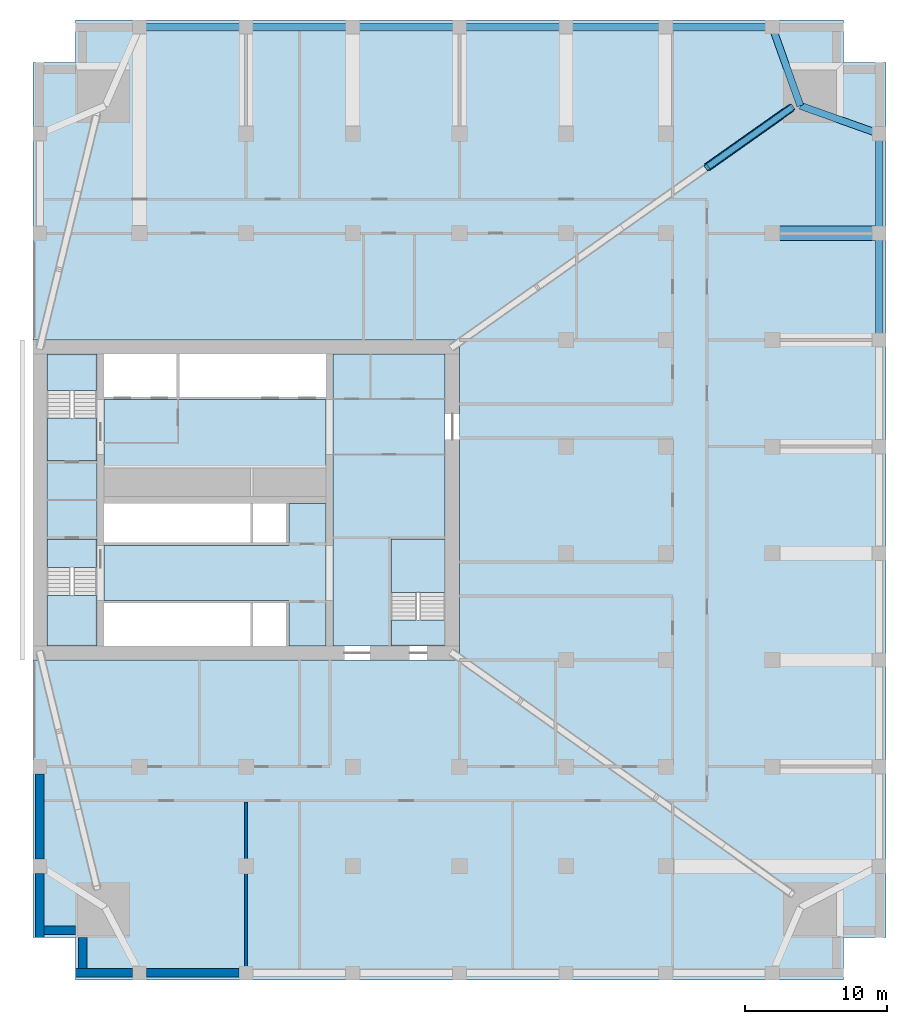
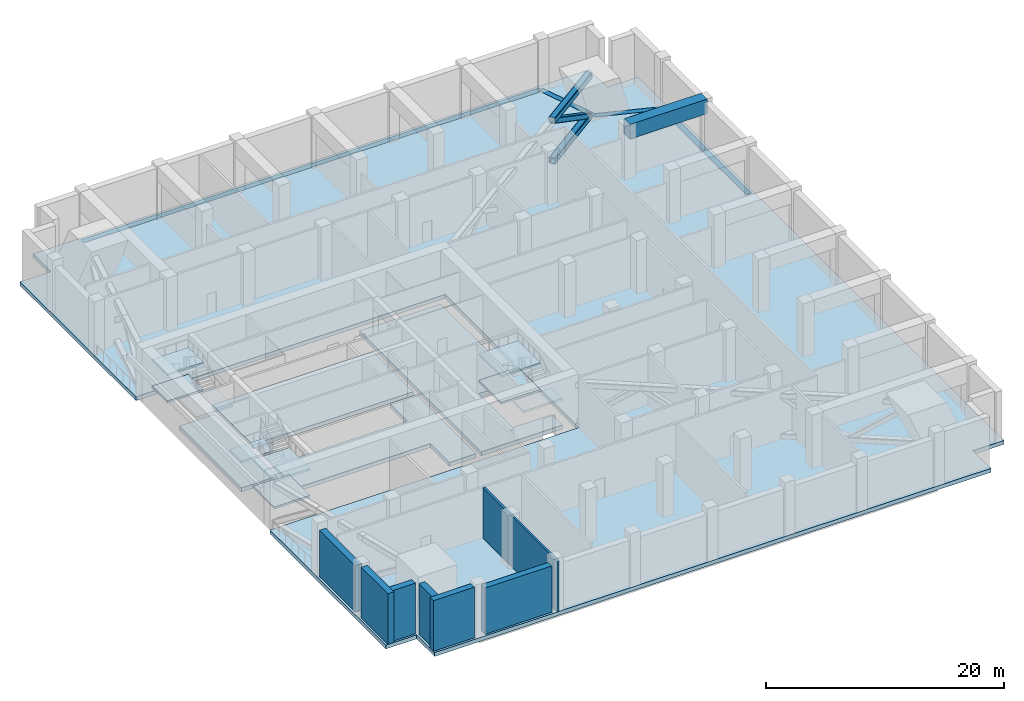
# One storey, part 2 of 10: 14 slabs, 11 beams, 7 walls, 3 members, 3 elements without a shape of their own.
"""IFC4 building model written with IfcOpenShell, lengths in metres."""

from ifc_helpers import new_model, si_unit, direction, frame, frame_2d, origin, origin_2d, place, context, subcontext, project, spatial, polyline, rectangle, hollow_rectangle, outline, extrude, material, layer, layer_set, material_profile, profile_set, type_object, element, aggregate, save


model = new_model("IFC4")

# Units and contexts
model_context = context("Model", 3, precision=1e-05, world=origin(), true_north=direction((0.0, 1.0)))
body_context = subcontext(model_context, "Body", "Model", "MODEL_VIEW")
ifc_project = project(units=[si_unit("LENGTHUNIT", "METRE"), si_unit("AREAUNIT", "SQUARE_METRE"), si_unit("VOLUMEUNIT", "CUBIC_METRE"), si_unit("PLANEANGLEUNIT", "RADIAN"), si_unit("MASSUNIT", "GRAM", prefix="KILO")], contexts=[model_context])

# Site, building, storey
site_placement = place(None, origin())
site = spatial("IfcSite", under=ifc_project, at=site_placement, CompositionType="ELEMENT")
building_placement = place(site_placement, origin())
building = spatial("IfcBuilding", under=site, at=building_placement, Name="Tamorin Gate", CompositionType="ELEMENT")
storey_placement = place(building_placement, frame((0.0, 0.0, 118.699951171875)))
storey = spatial("IfcBuildingStorey", under=building, at=storey_placement, Name="L29", CompositionType="ELEMENT", Elevation=118.699951171875)

# Beams
ifc_material_1 = material(Name="Concrete C50/60", Category="concrete")
ifc_material_profile_1 = material_profile(ifc_material_1, rectangle(XDim=0.5, YDim=0.75, at=origin_2d()), Name="RC 500x750")
ifc_profile_set_1 = profile_set([ifc_material_profile_1], Name="Concrete C50/60")
beam_type_1 = type_object("IfcBeamType", Name="RC spandrel 500x750 C50/60", PredefinedType="BEAM", material=ifc_profile_set_1)
beam_1_placement = place(storey_placement, frame((89.5, 82.5, -0.375), z_axis=(0.0, 1.0, 0.0), x_axis=(-1.0, 0.0, 0.0)))
element("IfcBeam", 1, at=beam_1_placement, inside=storey, type_object=beam_type_1, Name="Spandrel beam L29", PredefinedType="BEAM", context=body_context, shape_type="SweptSolid", body=[
    extrude(rectangle(XDim=0.5, YDim=0.75, at=origin_2d()), origin(), (0.0, 0.0, 1.0), 7.5),
])
beam_2_placement = place(storey_placement, frame((89.5, 90.0, -0.375), z_axis=(0.0, 1.0, 0.0), x_axis=(-1.0, 0.0, 0.0)))
element("IfcBeam", 2, at=beam_2_placement, inside=storey, type_object=beam_type_1, Name="Spandrel beam L29", PredefinedType="BEAM", context=body_context, shape_type="SweptSolid", body=[
    extrude(rectangle(XDim=0.5, YDim=0.75, at=origin_2d()), origin(), (0.0, 0.0, 1.0), 7.0),
])
beam_3_placement = place(storey_placement, frame((82.0, 104.5, -0.375), z_axis=(-1.0, 0.0, 0.0), x_axis=(0.0, -1.0, 0.0)))
element("IfcBeam", 3, at=beam_3_placement, inside=storey, type_object=beam_type_1, Name="Spandrel beam L29", PredefinedType="BEAM", context=body_context, shape_type="SweptSolid", body=[
    extrude(rectangle(XDim=0.5, YDim=0.75, at=origin_2d()), origin(), (0.0, 0.0, 1.0), 7.5),
])
beam_4_placement = place(storey_placement, frame((74.5, 104.5, -0.375), z_axis=(-1.0, 0.0, 0.0), x_axis=(0.0, -1.0, 0.0)))
element("IfcBeam", 4, at=beam_4_placement, inside=storey, type_object=beam_type_1, Name="Spandrel beam L29", PredefinedType="BEAM", context=body_context, shape_type="SweptSolid", body=[
    extrude(rectangle(XDim=0.5, YDim=0.75, at=origin_2d()), origin(), (0.0, 0.0, 1.0), 7.0),
])
for number, where, z_axis, x_axis, name in (
    (5, (67.5, 104.5, -0.375), (-1.0, 0.0, 0.0), (0.0, -1.0, 0.0), "Spandrel beam L29"),
    (6, (60.0, 104.5, -0.375), (-1.0, 0.0, 0.0), (0.0, -1.0, 0.0), "Spandrel beam L29"),
    (7, (52.5, 104.5, -0.375), (-1.0, 0.0, 0.0), (0.0, -1.0, 0.0), "Spandrel beam L29"),
    (8, (45.0, 104.5, -0.375), (-1.0, 0.0, 0.0), (0.0, -1.0, 0.0), "Spandrel beam L29"),
):
    element("IfcBeam", number, at=place(storey_placement, frame(where, z_axis=z_axis, x_axis=x_axis)), inside=storey, type_object=beam_type_1, Name=name, PredefinedType="BEAM", context=body_context, shape_type="SweptSolid", body=[
        extrude(rectangle(XDim=0.5, YDim=0.75, at=origin_2d()), origin(), (0.0, 0.0, 1.0), 7.5),
    ])
for number, where, z_axis, x_axis, name in (
    (9, (83.96875, 98.96875, -0.375), (-0.335324665527, 0.942102631718, 0.0), (-0.942102631718, -0.335324665527, 0.0), "Corner tie beam L29"),
    (10, (83.96875, 98.96875, -0.375), (0.942102631718, -0.335324665527, 0.0), (0.335324665527, 0.942102631718, 0.0), "Corner tie beam L29"),
):
    element("IfcBeam", number, at=place(storey_placement, frame(where, z_axis=z_axis, x_axis=x_axis)), inside=storey, type_object=beam_type_1, Name=name, PredefinedType="BEAM", context=body_context, shape_type="SweptSolid", body=[
        extrude(rectangle(XDim=0.5, YDim=0.75, at=origin_2d()), origin(), (0.0, 0.0, 1.0), 5.87109375),
    ])
ifc_material_2 = material(Name="Concrete C60/75", Category="concrete")
ifc_material_profile_2 = material_profile(ifc_material_2, rectangle(XDim=1.0, YDim=1.5, at=origin_2d()), Name="RC 1000x1500")
ifc_profile_set_2 = profile_set([ifc_material_profile_2], Name="Concrete C60/75")
beam_type_2 = type_object("IfcBeamType", Name="RC transfer girder 1000x1500 C60/75", PredefinedType="BEAM", material=ifc_profile_set_2)
beam_5_placement = place(storey_placement, frame((82.0, 90.0, 4.75), z_axis=(1.0, 0.0, 0.0), x_axis=(0.0, 1.0, 0.0)))
element("IfcBeam", 11, at=beam_5_placement, inside=storey, type_object=beam_type_2, Name="Transfer girder L29", PredefinedType="BEAM", context=body_context, shape_type="SweptSolid", body=[
    extrude(rectangle(XDim=1.0, YDim=1.5, at=origin_2d()), origin(), (0.0, 0.0, 1.0), 7.5),
])

# Members
ifc_material_3 = material(Name="Steel S355J2H", Category="steel")
ifc_material_profile_3 = material_profile(ifc_material_3, hollow_rectangle(XDim=0.60009765625, YDim=0.60009765625, WallThickness=0.0400390625, InnerFilletRadius=0.06005859375, OuterFilletRadius=0.10009765625, at=origin_2d()), Name="RHS 600x600x40")
ifc_profile_set_3 = profile_set([ifc_material_profile_3], Name="Steel S355J2H")
member_type_1 = type_object("IfcMemberType", Name="Steel chord RHS 600x600x40", PredefinedType="CHORD", material=ifc_profile_set_3)
for number, where, z_axis, x_axis, name in (
    (12, (77.401611328125, 94.63623046875, 0.300048828125), (0.816970642228, 0.576679260714, 0.0), (-0.576679260714, 0.816970642228, 0.0), "Truss bottom chord L29"),
    (13, (77.401611328125, 94.63623046875, 4.449951171875), (0.816970642228, 0.576679260714, 0.0), (-0.576679260714, 0.816970642228, 0.0), "Truss top chord L29"),
):
    element("IfcMember", number, at=place(storey_placement, frame(where, z_axis=z_axis, x_axis=x_axis)), inside=storey, type_object=member_type_1, Name=name, PredefinedType="CHORD", context=body_context, shape_type="SweptSolid", body=[
        extrude(hollow_rectangle(XDim=0.60009765625, YDim=0.60009765625, WallThickness=0.0400390625, InnerFilletRadius=0.06005859375, OuterFilletRadius=0.10009765625, at=origin_2d()), origin(), (0.0, 0.0, 1.0), 7.30419921875),
    ])
ifc_material_profile_4 = material_profile(ifc_material_3, hollow_rectangle(XDim=0.5, YDim=0.5, WallThickness=0.030029296875, InnerFilletRadius=0.044921875, OuterFilletRadius=0.074951171875, at=origin_2d()), Name="RHS 500x500x30")
ifc_profile_set_4 = profile_set([ifc_material_profile_4], Name="Steel S355J2H")
member_type_2 = type_object("IfcMemberType", Name="Steel diagonal RHS 500x500x30", PredefinedType="BRACE", material=ifc_profile_set_4)
member_placement = place(storey_placement, frame((77.401611328125, 94.63623046875, 4.449951171875), z_axis=(0.710328383733, 0.501403142319, -0.493992384694), x_axis=(-0.576679260714, 0.816970642228, 0.0)))
element("IfcMember", 14, at=member_placement, inside=storey, type_object=member_type_2, Name="Truss diagonal L29", PredefinedType="BRACE", context=body_context, shape_type="SweptSolid", body=[
    extrude(hollow_rectangle(XDim=0.5, YDim=0.5, WallThickness=0.030029296875, InnerFilletRadius=0.044921875, OuterFilletRadius=0.074951171875, at=origin_2d()), origin(), (0.0, 0.0, 1.0), 8.400634765625),
])

# Slabs
ifc_material_4 = material(Name="Concrete C40/50", Category="concrete")
ifc_layer_1 = layer(ifc_material_4, 0.409912109375)
ifc_layer_set_1 = layer_set([ifc_layer_1], Name="Core floor slab 410 C40/50")
slab_type_1 = type_object("IfcSlabType", Name="Core floor slab 410 C40/50", PredefinedType="FLOOR", material=ifc_layer_set_1)
slab_1_placement = place(storey_placement, frame((0.0, 0.0, -0.409912109375)))
element("IfcSlab", 15, at=slab_1_placement, inside=storey, type_object=slab_type_1, Name="Core floor L29", PredefinedType="FLOOR", context=body_context, shape_type="SweptSolid", body=[
    extrude(outline(polyline([(59.0, 62.800048828125), (59.0, 61.0), (51.10009765625, 61.0), (51.10009765625, 81.5), (59.0, 81.5), (59.0, 68.5), (55.199951171875, 68.5), (55.199951171875, 62.800048828125), (59.0, 62.800048828125)])), origin(), (0.0, 0.0, 1.0), 0.409912109375),
])
slab_2_placement = place(storey_placement, frame((0.0, 0.0, -0.409912109375)))
element("IfcSlab", 16, at=slab_2_placement, inside=storey, type_object=slab_type_1, Name="Core floor L29", PredefinedType="FLOOR", context=body_context, shape_type="SweptSolid", body=[
    extrude(outline(polyline([(50.60009765625, 61.0), (48.0, 61.0), (48.0, 64.199951171875), (35.0, 64.199951171875), (35.0, 68.050048828125), (48.0, 68.050048828125), (48.0, 71.0), (50.60009765625, 71.0), (50.60009765625, 61.0)])), origin(), (0.0, 0.0, 1.0), 0.409912109375),
])
slab_3_placement = place(storey_placement, frame((0.0, 0.0, -0.409912109375)))
element("IfcSlab", 17, at=slab_3_placement, inside=storey, type_object=slab_type_1, Name="Core floor L29", PredefinedType="FLOOR", context=body_context, shape_type="SweptSolid", body=[
    extrude(outline(polyline([(50.60009765625, 71.5), (35.0, 71.5), (35.0, 78.300048828125), (50.60009765625, 78.300048828125), (50.60009765625, 71.5)])), origin(), (0.0, 0.0, 1.0), 0.409912109375),
])
slab_4_placement = place(storey_placement, frame((0.0, 0.0, -0.409912109375)))
element("IfcSlab", 18, at=slab_4_placement, inside=storey, type_object=slab_type_1, Name="Core floor L29", PredefinedType="FLOOR", context=body_context, shape_type="SweptSolid", body=[
    extrude(outline(polyline([(31.0, 66.5), (31.0, 77.0), (34.5, 77.0), (34.5, 66.5), (31.0, 66.5)])), origin(), (0.0, 0.0, 1.0), 0.409912109375),
])

# Stair, slabs
stair_type = type_object("IfcStairType", Name="Exit stair", PredefinedType="HALF_TURN_STAIR", material=ifc_material_4)
stair_1_placement = place(storey_placement, origin())
stair_1 = element("IfcStair", 19, at=stair_1_placement, inside=storey, type_object=stair_type, Name="L29 stair ST1", PredefinedType="HALF_TURN_STAIR")
ifc_layer_2 = layer(ifc_material_4, 0.199951171875)
ifc_layer_set_2 = layer_set([ifc_layer_2], Name="Exit stair landing 200")
slab_type_2 = type_object("IfcSlabType", Name="Exit stair landing 200", PredefinedType="LANDING", material=ifc_layer_set_2)
slab_5_placement = place(storey_placement, frame((0.0, 0.0, 1.175048828125)))
slab_5 = element("IfcSlab", 20, at=slab_5_placement, type_object=slab_type_2, Name="ST1 landing 1", PredefinedType="LANDING", context=body_context, shape_type="SweptSolid", body=[
    extrude(outline(polyline([(31.0, 64.5400390625), (31.0, 61.0), (34.5, 61.0), (34.5, 64.5400390625), (31.0, 64.5400390625)])), origin(), (0.0, 0.0, 1.0), 0.199951171875),
])
slab_6_placement = place(storey_placement, frame((0.0, 0.0, 2.550048828125)))
slab_6 = element("IfcSlab", 21, at=slab_6_placement, type_object=slab_type_2, Name="ST1 landing 2", PredefinedType="LANDING", context=body_context, shape_type="SweptSolid", body=[
    extrude(outline(polyline([(31.0, 68.5), (31.0, 66.5), (34.5, 66.5), (34.5, 68.5), (31.0, 68.5)])), origin(), (0.0, 0.0, 1.0), 0.199951171875),
])
slab_7_placement = place(storey_placement, frame((0.0, 0.0, 3.925048828125)))
slab_7 = element("IfcSlab", 22, at=slab_7_placement, type_object=slab_type_2, Name="ST1 landing 3", PredefinedType="LANDING", context=body_context, shape_type="SweptSolid", body=[
    extrude(outline(polyline([(31.0, 64.5400390625), (31.0, 61.0), (34.5, 61.0), (34.5, 64.5400390625), (31.0, 64.5400390625)])), origin(), (0.0, 0.0, 1.0), 0.199951171875),
])
aggregate(stair_1, [slab_5, slab_6, slab_7])

stair_2_placement = place(storey_placement, origin())
stair_2 = element("IfcStair", 23, at=stair_2_placement, inside=storey, type_object=stair_type, Name="L29 stair ST2", PredefinedType="HALF_TURN_STAIR")
slab_8_placement = place(storey_placement, frame((0.0, 0.0, 1.175048828125)))
slab_8 = element("IfcSlab", 24, at=slab_8_placement, type_object=slab_type_2, Name="ST2 landing 1", PredefinedType="LANDING", context=body_context, shape_type="SweptSolid", body=[
    extrude(outline(polyline([(34.5, 78.9599609375), (34.5, 81.5), (31.0, 81.5), (31.0, 78.9599609375), (34.5, 78.9599609375)])), origin(), (0.0, 0.0, 1.0), 0.199951171875),
])
slab_9_placement = place(storey_placement, frame((0.0, 0.0, 2.550048828125)))
slab_9 = element("IfcSlab", 25, at=slab_9_placement, type_object=slab_type_2, Name="ST2 landing 2", PredefinedType="LANDING", context=body_context, shape_type="SweptSolid", body=[
    extrude(outline(polyline([(34.5, 74.0), (34.5, 77.0), (31.0, 77.0), (31.0, 74.0), (34.5, 74.0)])), origin(), (0.0, 0.0, 1.0), 0.199951171875),
])
slab_10_placement = place(storey_placement, frame((0.0, 0.0, 3.925048828125)))
slab_10 = element("IfcSlab", 26, at=slab_10_placement, type_object=slab_type_2, Name="ST2 landing 3", PredefinedType="LANDING", context=body_context, shape_type="SweptSolid", body=[
    extrude(outline(polyline([(34.5, 78.9599609375), (34.5, 81.5), (31.0, 81.5), (31.0, 78.9599609375), (34.5, 78.9599609375)])), origin(), (0.0, 0.0, 1.0), 0.199951171875),
])
aggregate(stair_2, [slab_8, slab_9, slab_10])

stair_3_placement = place(storey_placement, origin())
stair_3 = element("IfcStair", 27, at=stair_3_placement, inside=storey, type_object=stair_type, Name="L29 stair ST3", PredefinedType="HALF_TURN_STAIR")
slab_11_placement = place(storey_placement, frame((0.0, 0.0, 1.175048828125)))
slab_11 = element("IfcSlab", 28, at=slab_11_placement, type_object=slab_type_2, Name="ST3 landing 1", PredefinedType="LANDING", context=body_context, shape_type="SweptSolid", body=[
    extrude(outline(polyline([(59.0, 64.760009765625), (59.0, 68.5), (55.199951171875, 68.5), (55.199951171875, 64.760009765625), (59.0, 64.760009765625)])), origin(), (0.0, 0.0, 1.0), 0.199951171875),
])
slab_12_placement = place(storey_placement, frame((0.0, 0.0, 2.550048828125)))
slab_12 = element("IfcSlab", 29, at=slab_12_placement, type_object=slab_type_2, Name="ST3 landing 2", PredefinedType="LANDING", context=body_context, shape_type="SweptSolid", body=[
    extrude(outline(polyline([(59.0, 61.0), (59.0, 62.800048828125), (55.199951171875, 62.800048828125), (55.199951171875, 61.0), (59.0, 61.0)])), origin(), (0.0, 0.0, 1.0), 0.199951171875),
])
slab_13_placement = place(storey_placement, frame((0.0, 0.0, 3.925048828125)))
slab_13 = element("IfcSlab", 30, at=slab_13_placement, type_object=slab_type_2, Name="ST3 landing 3", PredefinedType="LANDING", context=body_context, shape_type="SweptSolid", body=[
    extrude(outline(polyline([(59.0, 64.760009765625), (59.0, 68.5), (55.199951171875, 68.5), (55.199951171875, 64.760009765625), (59.0, 64.760009765625)])), origin(), (0.0, 0.0, 1.0), 0.199951171875),
])
aggregate(stair_3, [slab_11, slab_12, slab_13])

# Slab
ifc_material_5 = material(Name="Concrete C45/55", Category="concrete")
ifc_layer_3 = layer(ifc_material_5, 0.39990234375)
ifc_layer_set_3 = layer_set([ifc_layer_3], Name="Floor slab 400 C45/55")
slab_type_3 = type_object("IfcSlabType", Name="Floor slab 400 C45/55", PredefinedType="FLOOR", material=ifc_layer_set_3)
slab_14_placement = place(storey_placement, frame((0.0, 0.0, -0.39990234375)))
element("IfcSlab", 31, at=slab_14_placement, inside=storey, type_object=slab_type_3, Name="Floor L29", PredefinedType="FLOOR", context=body_context, shape_type="SweptSolid", body=[
    extrude(outline(polyline([(30.0, 102.0), (33.0, 102.0), (33.0, 105.0), (87.0, 105.0), (87.0, 102.0), (90.0, 102.0), (90.0, 40.5), (87.0, 40.5), (87.0, 37.5), (33.0, 37.5), (33.0, 40.5), (30.0, 40.5), (30.0, 60.0), (60.0, 60.0), (60.0, 82.5), (30.0, 82.5), (30.0, 102.0)])), origin(), (0.0, 0.0, 1.0), 0.39990234375),
])

# Walls
ifc_material_6 = material(Name="Aluminium louvres in concrete frame", Category="concrete")
ifc_layer_4 = layer(ifc_material_6, 0.60009765625)
ifc_layer_set_4 = layer_set([ifc_layer_4], Name="Louvred plant wall 600")
wall_type_1 = type_object("IfcWallType", Name="Louvred plant wall 600", PredefinedType="ELEMENTEDWALL", material=ifc_layer_set_4)
wall_1_placement = place(storey_placement, frame((33.0, 38.0, 0.0), z_axis=(0.0, 0.0, 1.0), x_axis=(1.0, 0.0, 0.0)))
element("IfcWall", 32, at=wall_1_placement, inside=storey, type_object=wall_type_1, Name="Louvred plant wall", PredefinedType="ELEMENTEDWALL", context=body_context, shape_type="SweptSolid", body=[
    extrude(rectangle(XDim=4.0, YDim=0.60009765625, at=frame_2d((2.0, 0.0))), origin(), (0.0, 0.0, 1.0), 5.199951171875),
])
wall_2_placement = place(storey_placement, frame((38.0, 38.0, 0.0), z_axis=(0.0, 0.0, 1.0), x_axis=(1.0, 0.0, 0.0)))
element("IfcWall", 33, at=wall_2_placement, inside=storey, type_object=wall_type_1, Name="Louvred plant wall", PredefinedType="ELEMENTEDWALL", context=body_context, shape_type="SweptSolid", body=[
    extrude(rectangle(XDim=6.5, YDim=0.60009765625, at=frame_2d((3.25, 0.0))), origin(), (0.0, 0.0, 1.0), 4.75),
])
wall_3_placement = place(storey_placement, frame((30.5, 52.0, 0.0), z_axis=(0.0, 0.0, 1.0), x_axis=(0.0, -1.0, 0.0)))
element("IfcWall", 34, at=wall_3_placement, inside=storey, type_object=wall_type_1, Name="Louvred plant wall", PredefinedType="ELEMENTEDWALL", context=body_context, shape_type="SweptSolid", body=[
    extrude(rectangle(XDim=6.0, YDim=0.60009765625, at=frame_2d((3.0, 0.0))), origin(), (0.0, 0.0, 1.0), 4.75),
])
wall_4_placement = place(storey_placement, frame((30.5, 45.0, 0.0), z_axis=(0.0, 0.0, 1.0), x_axis=(0.0, -1.0, 0.0)))
element("IfcWall", 35, at=wall_4_placement, inside=storey, type_object=wall_type_1, Name="Louvred plant wall", PredefinedType="ELEMENTEDWALL", context=body_context, shape_type="SweptSolid", body=[
    extrude(rectangle(XDim=4.5, YDim=0.60009765625, at=frame_2d((2.25, 0.0))), origin(), (0.0, 0.0, 1.0), 5.199951171875),
])
for number, where, z_axis, x_axis, name in (
    (36, (30.800048828125, 41.0, 0.0), (0.0, 0.0, 1.0), (1.0, 0.0, 0.0), "Louvred plant wall"),
    (37, (33.5, 40.5, 0.0), (0.0, 0.0, 1.0), (0.0, -1.0, 0.0), "Louvred plant wall"),
):
    element("IfcWall", number, at=place(storey_placement, frame(where, z_axis=z_axis, x_axis=x_axis)), inside=storey, type_object=wall_type_1, Name=name, PredefinedType="ELEMENTEDWALL", context=body_context, shape_type="SweptSolid", body=[
        extrude(rectangle(XDim=2.199951171875, YDim=0.60009765625, at=frame_2d((1.10009765625, 0.0))), origin(), (0.0, 0.0, 1.0), 5.199951171875),
    ])
ifc_material_7 = material(Name="Gypsum board partition")
ifc_layer_5 = layer(ifc_material_7, 0.199951171875)
ifc_layer_set_5 = layer_set([ifc_layer_5], Name="Plant and refuge wall 200")
wall_type_2 = type_object("IfcWallType", Name="Plant and refuge wall 200", PredefinedType="PARTITIONING", material=ifc_layer_set_5)
wall_5_placement = place(storey_placement, frame((45.0, 37.5, 0.0), z_axis=(0.0, 0.0, 1.0), x_axis=(0.0, 1.0, 0.0)))
element("IfcWall", 38, at=wall_5_placement, inside=storey, type_object=wall_type_2, Name="Plant and refuge wall 200", PredefinedType="PARTITIONING", context=body_context, shape_type="SweptSolid", body=[
    extrude(rectangle(XDim=12.5, YDim=0.199951171875, at=frame_2d((6.25, 0.0))), origin(), (0.0, 0.0, 1.0), 5.199951171875),
])

save(model, "model.ifc")
